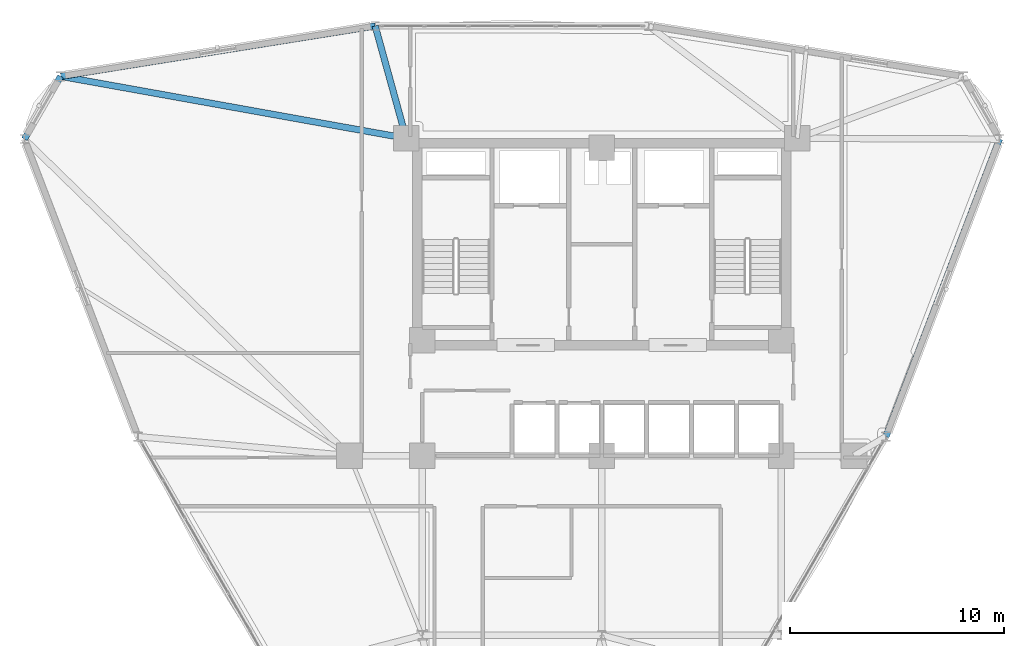
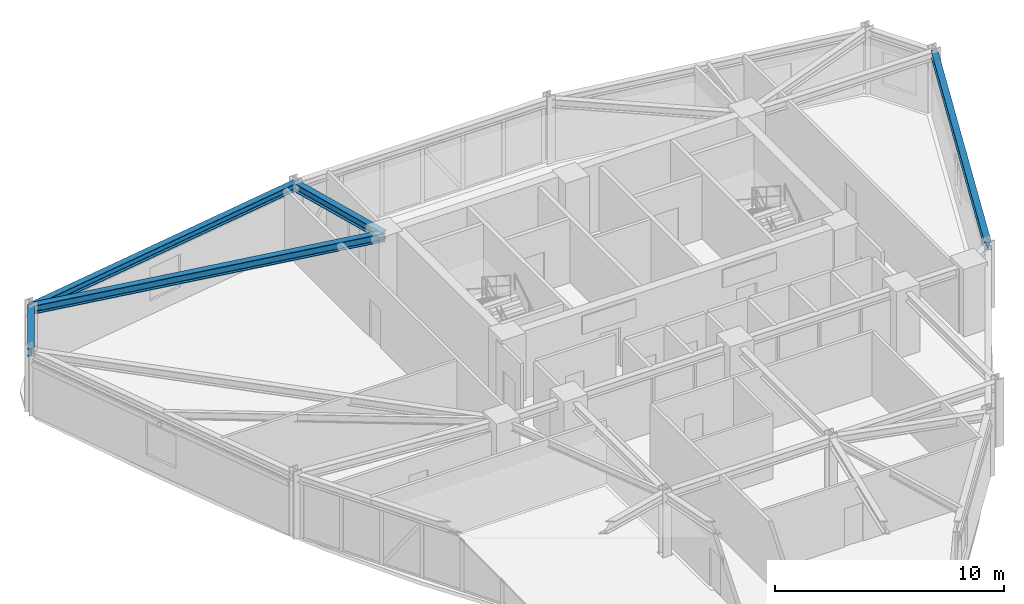
# One storey, part 7 of 15: 5 beams.
"""IFC4 building model written with IfcOpenShell, lengths in metres."""

from ifc_helpers import new_model, si_unit, derived_unit, direction, frame, origin, origin_2d, place, context, subcontext, project, spatial, i_section, extrude, source, transform, mapped, material, material_profile, profile_set, type_object, element, save


model = new_model("IFC4")

# Units and contexts
model_context = context("Model", 3, precision=1e-05, world=origin(), true_north=direction((0.0, 1.0)))
body_context = subcontext(model_context, "Body", "Model", "MODEL_VIEW")
ifc_project = project(units=[si_unit("LENGTHUNIT", "METRE"), si_unit("AREAUNIT", "SQUARE_METRE"), si_unit("VOLUMEUNIT", "CUBIC_METRE"), si_unit("PLANEANGLEUNIT", "RADIAN"), si_unit("MASSUNIT", "GRAM", prefix="KILO"), derived_unit("THERMALTRANSMITTANCEUNIT", [(si_unit("POWERUNIT", "WATT"), 1), (si_unit("LENGTHUNIT", "METRE"), -2), (si_unit("THERMODYNAMICTEMPERATUREUNIT", "KELVIN"), -1)])], contexts=[model_context])

# Site, building, storey
site_placement = place(None, origin())
site = spatial("IfcSite", under=ifc_project, at=site_placement, CompositionType="ELEMENT")
building_placement = place(site_placement, origin())
building = spatial("IfcBuilding", under=site, at=building_placement, Name="Korsvarv Bourse and Concert Hall", CompositionType="ELEMENT")
storey_placement = place(building_placement, frame((0.0, 0.0, 157.800048828125)))
storey = spatial("IfcBuildingStorey", under=building, at=storey_placement, Name="L40", CompositionType="ELEMENT", Elevation=157.800048828125)

# Beams
ifc_material = material(Name="Steel S355", Category="steel")
ifc_material_profile_1 = material_profile(ifc_material, i_section(OverallWidth=0.300048828125, OverallDepth=0.39990234375, WebThickness=0.013427734375, FlangeThickness=0.02392578125, FilletRadius=0.02099609375, at=origin_2d()), Name="HEB 400")
ifc_profile_set_1 = profile_set([ifc_material_profile_1], Name="Steel S355")
beam_type_1 = type_object("IfcBeamType", Name="BM-HEB400", PredefinedType="SPANDREL", material=ifc_profile_set_1)
shared_shape_1 = source(origin(), body_context, "Body", "SweptSolid", [
    extrude(i_section(OverallWidth=0.300048828125, OverallDepth=0.39990234375, WebThickness=0.013427734375, FlangeThickness=0.02392578125, FilletRadius=0.02099609375, at=origin_2d()), origin(), (0.0, 0.0, 1.0), 3.391357421875),
])
beam_1_placement = place(storey_placement, frame((10.681396484375, 50.15087890625, 3.199951171875), z_axis=(-0.500025713471, -0.866010557596, 0.0), x_axis=(0.866010557596, -0.500025713471, 0.0)))
element("IfcBeam", 1, at=beam_1_placement, inside=storey, type_object=beam_type_1, Name="L40 beam B-09", PredefinedType="SPANDREL", context=body_context, shape_type="MappedRepresentation", body=[
    mapped(shared_shape_1, transform((0.0, 0.0, 0.0), scale=1.0)),
])
shared_shape_2 = source(origin(), body_context, "Body", "SweptSolid", [
    extrude(i_section(OverallWidth=0.300048828125, OverallDepth=0.39990234375, WebThickness=0.013427734375, FlangeThickness=0.02392578125, FilletRadius=0.02099609375, at=origin_2d()), origin(), (0.0, 0.0, 1.0), 14.90478515625),
])
beam_2_placement = place(storey_placement, frame((49.296630859375, 33.2900390625, 3.199951171875), z_axis=(0.356775123781, 0.934190297023, 0.0), x_axis=(-0.934190297023, 0.356775123781, 0.0)))
element("IfcBeam", 2, at=beam_2_placement, inside=storey, type_object=beam_type_1, Name="L40 beam B-09", PredefinedType="SPANDREL", context=body_context, shape_type="MappedRepresentation", body=[
    mapped(shared_shape_2, transform((0.0, 0.0, 0.0), scale=1.0)),
])
shared_shape_3 = source(origin(), body_context, "Body", "SweptSolid", [
    extrude(i_section(OverallWidth=0.300048828125, OverallDepth=0.39990234375, WebThickness=0.013427734375, FlangeThickness=0.02392578125, FilletRadius=0.02099609375, at=origin_2d()), origin(), (0.0, 0.0, 1.0), 14.904541015625),
])
beam_3_placement = place(storey_placement, frame((25.3984375, 52.507568359375, 3.199951171875), z_axis=(-0.987420077934, -0.158118909977, 0.0), x_axis=(0.158118909977, -0.987420077934, 0.0)))
element("IfcBeam", 3, at=beam_3_placement, inside=storey, type_object=beam_type_1, Name="L40 beam B-09", PredefinedType="SPANDREL", context=body_context, shape_type="MappedRepresentation", body=[
    mapped(shared_shape_3, transform((0.0, 0.0, 0.0), scale=1.0)),
])
ifc_material_profile_2 = material_profile(ifc_material, i_section(OverallWidth=0.300048828125, OverallDepth=0.449951171875, WebThickness=0.013916015625, FlangeThickness=0.02587890625, FilletRadius=0.02099609375, at=origin_2d()), Name="HEB 450")
ifc_profile_set_2 = profile_set([ifc_material_profile_2], Name="Steel S355")
beam_type_2 = type_object("IfcBeamType", Name="BM-HEB450", PredefinedType="SPANDREL", material=ifc_profile_set_2)
shared_shape_4 = source(origin(), body_context, "Body", "SweptSolid", [
    extrude(i_section(OverallWidth=0.300048828125, OverallDepth=0.449951171875, WebThickness=0.013916015625, FlangeThickness=0.02587890625, FilletRadius=0.02099609375, at=origin_2d()), origin(), (0.0, 0.0, 1.0), 5.454345703125),
])
beam_4_placement = place(storey_placement, frame((25.3984375, 52.507568359375, 3.175048828125), z_axis=(0.266149878832, -0.963931658365, 0.0), x_axis=(0.963931658365, 0.266149878832, 0.0)))
element("IfcBeam", 4, at=beam_4_placement, inside=storey, type_object=beam_type_2, Name="L40 beam B-08", PredefinedType="SPANDREL", context=body_context, shape_type="MappedRepresentation", body=[
    mapped(shared_shape_4, transform((0.0, 0.0, 0.0), scale=1.0)),
])
shared_shape_5 = source(origin(), body_context, "Body", "SweptSolid", [
    extrude(i_section(OverallWidth=0.300048828125, OverallDepth=0.449951171875, WebThickness=0.013916015625, FlangeThickness=0.02587890625, FilletRadius=0.02099609375, at=origin_2d()), origin(), (0.0, 0.0, 1.0), 16.4267578125),
])
beam_5_placement = place(storey_placement, frame((10.681396484375, 50.15087890625, 3.175048828125), z_axis=(0.984283861067, -0.176593547001, 0.0), x_axis=(0.176593547001, 0.984283861067, 0.0)))
element("IfcBeam", 5, at=beam_5_placement, inside=storey, type_object=beam_type_2, Name="L40 beam B-08", PredefinedType="SPANDREL", context=body_context, shape_type="MappedRepresentation", body=[
    mapped(shared_shape_5, transform((0.0, 0.0, 0.0), scale=1.0)),
])

save(model, "model.ifc")
